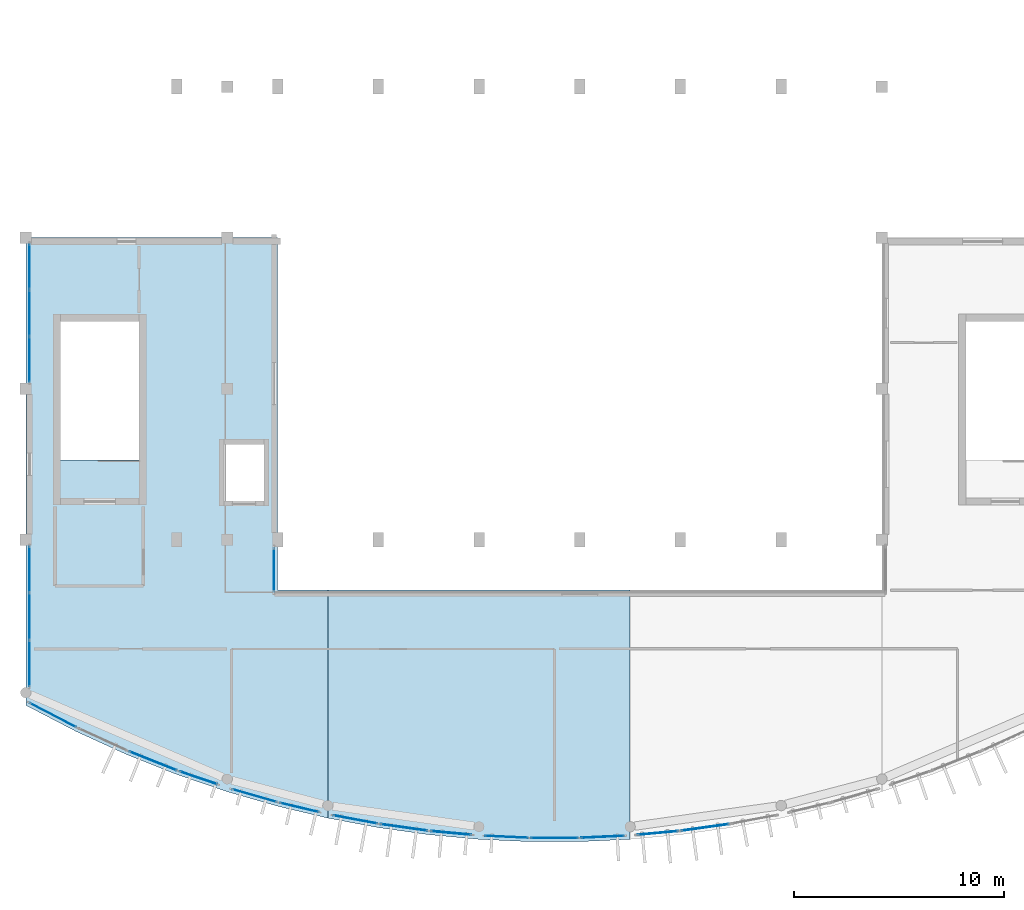
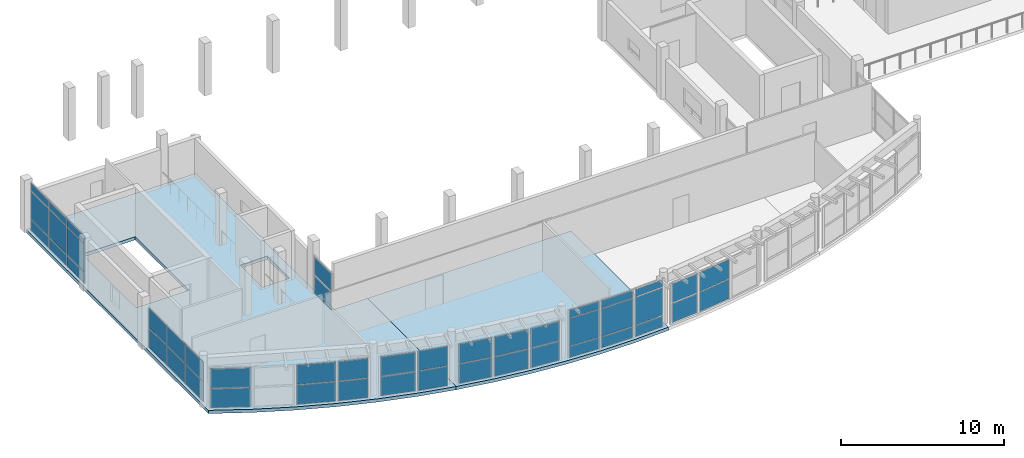
# One storey, part 11 of 32: 46 plates, 2 slabs, 16 elements without a shape of their own.
"""IFC4 building model written with IfcOpenShell, lengths in metres."""

from ifc_helpers import new_model, si_unit, direction, frame, origin, origin_2d, place, context, subcontext, project, spatial, polyline, rectangle, outline, extrude, material, layer, layer_set, type_object, element, aggregate, save


model = new_model("IFC4")

# Units and contexts
model_context = context("Model", 3, precision=1e-05, world=origin(), true_north=direction((0.0, 1.0)))
body_context = subcontext(model_context, "Body", "Model", "MODEL_VIEW")
ifc_project = project(units=[si_unit("LENGTHUNIT", "METRE"), si_unit("AREAUNIT", "SQUARE_METRE"), si_unit("VOLUMEUNIT", "CUBIC_METRE"), si_unit("PLANEANGLEUNIT", "RADIAN"), si_unit("MASSUNIT", "GRAM", prefix="KILO")], contexts=[model_context])

# Site, building, storey
site_placement = place(None, origin())
site = spatial("IfcSite", under=ifc_project, at=site_placement, CompositionType="ELEMENT")
building_placement = place(site_placement, origin())
building = spatial("IfcBuilding", under=site, at=building_placement, Name="Brisavento Harbour Community Centre", CompositionType="ELEMENT")
storey_placement = place(building_placement, frame((0.0, 0.0, 12.89990234375)))
storey = spatial("IfcBuildingStorey", under=building, at=storey_placement, Name="L03", CompositionType="ELEMENT", Elevation=12.89990234375)

# Curtain wall, plates
ifc_material_1 = material(Name="Marine-anodised aluminium AW-6063-T6", Category="aluminium")
ifc_layer_1 = layer(ifc_material_1, 0.179931640625, Name="Marine-anodised aluminium AW-6063-T6")
ifc_layer_set_1 = layer_set([ifc_layer_1], Name="Marine-anodised aluminium AW-6063-T6")
curtain_wall_type_1 = type_object("IfcCurtainWallType", Name="CW-SYS-16", PredefinedType="USERDEFINED", material=ifc_layer_set_1)
curtain_wall_1_placement = place(storey_placement, origin())
curtain_wall_1 = element("IfcCurtainWall", 1, at=curtain_wall_1_placement, inside=storey, type_object=curtain_wall_type_1, Name="L03 V1 unitised curtain wall 156", ObjectType="UNITISED CURTAIN WALL", PredefinedType="USERDEFINED")
ifc_material_2 = material(Name="Solar-control laminated low-E glass", Category="glass")
ifc_layer_2 = layer(ifc_material_2, 0.02392578125, Name="Solar-control laminated low-E glass")
ifc_layer_set_2 = layer_set([ifc_layer_2], Name="Solar-control laminated low-E glass")
plate_type_1 = type_object("IfcPlateType", Name="CWP-GLZ-1", PredefinedType="CURTAIN_PANEL", material=ifc_layer_set_2)
plate_1_placement = place(storey_placement, frame((10.90283203125, 2.206787109375, 0.080078125), z_axis=(0.0, 0.0, 1.0), x_axis=(-0.960866482785, 0.277011917183, 0.0)))
plate_1 = element("IfcPlate", 2, at=plate_1_placement, type_object=plate_type_1, Name="CW-16 panel 1.1", PredefinedType="CURTAIN_PANEL", context=body_context, shape_type="SweptSolid", body=[
    extrude(rectangle(XDim=2.19140625, YDim=0.02392578125, at=origin_2d()), origin(), (0.0, 0.0, 1.0), 1.409912109375),
])
plate_2_placement = place(storey_placement, frame((10.90283203125, 2.206787109375, 1.5703125), z_axis=(0.0, 0.0, 1.0), x_axis=(-0.960866482785, 0.277011917183, 0.0)))
plate_2 = element("IfcPlate", 3, at=plate_2_placement, type_object=plate_type_1, Name="CW-16 panel 1.2", PredefinedType="CURTAIN_PANEL", context=body_context, shape_type="SweptSolid", body=[
    extrude(rectangle(XDim=2.19140625, YDim=0.02392578125, at=origin_2d()), origin(), (0.0, 0.0, 1.0), 1.409912109375),
])
aggregate(curtain_wall_1, [plate_1, plate_2])

ifc_layer_3 = layer(ifc_material_1, 0.179931640625, Name="Marine-anodised aluminium AW-6063-T6")
ifc_layer_set_3 = layer_set([ifc_layer_3], Name="Marine-anodised aluminium AW-6063-T6")
curtain_wall_type_2 = type_object("IfcCurtainWallType", Name="CW-SYS-21", PredefinedType="USERDEFINED", material=ifc_layer_set_3)
curtain_wall_2_placement = place(storey_placement, origin())
curtain_wall_2 = element("IfcCurtainWall", 4, at=curtain_wall_2_placement, inside=storey, type_object=curtain_wall_type_2, Name="L03 V1 unitised curtain wall 161", ObjectType="UNITISED CURTAIN WALL", PredefinedType="USERDEFINED")
plate_3_placement = place(storey_placement, frame((22.908447265625, 0.244384765625, 0.06494140625), z_axis=(0.0, 0.0, 1.0), x_axis=(-0.998933696469, 0.046167846582, 0.0)))
plate_3 = element("IfcPlate", 5, at=plate_3_placement, type_object=plate_type_1, Name="CW-21 panel 1.1", PredefinedType="CURTAIN_PANEL", context=body_context, shape_type="SweptSolid", body=[
    extrude(rectangle(XDim=2.035888671875, YDim=0.02392578125, at=origin_2d()), origin(), (0.0, 0.0, 1.0), 0.802490234375),
])
plate_4_placement = place(storey_placement, frame((22.908447265625, 0.244384765625, 0.9326171875), z_axis=(0.0, 0.0, 1.0), x_axis=(-0.998933696469, 0.046167846582, 0.0)))
plate_4 = element("IfcPlate", 6, at=plate_4_placement, type_object=plate_type_1, Name="CW-21 panel 1.2", PredefinedType="CURTAIN_PANEL", context=body_context, shape_type="SweptSolid", body=[
    extrude(rectangle(XDim=2.035888671875, YDim=0.02392578125, at=origin_2d()), origin(), (0.0, 0.0, 1.0), 2.044921875),
])
plate_5_placement = place(storey_placement, frame((22.908447265625, 0.244384765625, 3.04248046875), z_axis=(0.0, 0.0, 1.0), x_axis=(-0.998933696469, 0.046167846582, 0.0)))
plate_5 = element("IfcPlate", 7, at=plate_5_placement, type_object=plate_type_1, Name="CW-21 panel 1.3", PredefinedType="CURTAIN_PANEL", context=body_context, shape_type="SweptSolid", body=[
    extrude(rectangle(XDim=2.035888671875, YDim=0.02392578125, at=origin_2d()), origin(), (0.0, 0.0, 1.0), 0.552490234375),
])
aggregate(curtain_wall_2, [plate_3, plate_4, plate_5])

ifc_layer_4 = layer(ifc_material_1, 0.179931640625, Name="Marine-anodised aluminium AW-6063-T6")
ifc_layer_set_4 = layer_set([ifc_layer_4], Name="Marine-anodised aluminium AW-6063-T6")
curtain_wall_type_3 = type_object("IfcCurtainWallType", Name="CW-SYS-08", PredefinedType="USERDEFINED", material=ifc_layer_set_4)
curtain_wall_3_placement = place(storey_placement, origin())
curtain_wall_3 = element("IfcCurtainWall", 8, at=curtain_wall_3_placement, inside=storey, type_object=curtain_wall_type_3, Name="L03 V1 unitised curtain wall 176", ObjectType="UNITISED CURTAIN WALL", PredefinedType="USERDEFINED")
plate_6_placement = place(storey_placement, frame((11.820068359375, 12.95751953125, 0.080078125), z_axis=(0.0, 0.0, 1.0), x_axis=(0.0, -1.0, 0.0)))
plate_6 = element("IfcPlate", 9, at=plate_6_placement, type_object=plate_type_1, Name="CW-08 panel 1.1", PredefinedType="CURTAIN_PANEL", context=body_context, shape_type="SweptSolid", body=[
    extrude(rectangle(XDim=2.054931640625, YDim=0.02392578125, at=origin_2d()), origin(), (0.0, 0.0, 1.0), 1.330078125),
])
plate_7_placement = place(storey_placement, frame((11.820068359375, 12.95751953125, 1.489990234375), z_axis=(0.0, 0.0, 1.0), x_axis=(0.0, -1.0, 0.0)))
plate_7 = element("IfcPlate", 10, at=plate_7_placement, type_object=plate_type_1, Name="CW-08 panel 1.2", PredefinedType="CURTAIN_PANEL", context=body_context, shape_type="SweptSolid", body=[
    extrude(rectangle(XDim=2.054931640625, YDim=0.02392578125, at=origin_2d()), origin(), (0.0, 0.0, 1.0), 1.330078125),
])
aggregate(curtain_wall_3, [plate_6, plate_7])

ifc_layer_5 = layer(ifc_material_1, 0.179931640625, Name="Marine-anodised aluminium AW-6063-T6")
ifc_layer_set_5 = layer_set([ifc_layer_5], Name="Marine-anodised aluminium AW-6063-T6")
curtain_wall_type_4 = type_object("IfcCurtainWallType", Name="CW-SYS-12", PredefinedType="USERDEFINED", material=ifc_layer_set_5)
curtain_wall_4_placement = place(storey_placement, origin())
curtain_wall_4 = element("IfcCurtainWall", 11, at=curtain_wall_4_placement, inside=storey, type_object=curtain_wall_type_4, Name="L03 V1 unitised curtain wall 152", ObjectType="UNITISED CURTAIN WALL", PredefinedType="USERDEFINED")
ifc_layer_6 = layer(ifc_material_2, 0.028076171875, Name="Solar-control laminated low-E glass")
ifc_layer_set_6 = layer_set([ifc_layer_6], Name="Solar-control laminated low-E glass")
plate_type_2 = type_object("IfcPlateType", Name="CWP-GLZ-2", PredefinedType="CURTAIN_PANEL", material=ifc_layer_set_6)
plate_8_placement = place(storey_placement, frame((1.295166015625, 6.04296875, 0.080078125), z_axis=(0.0, 0.0, 1.0), x_axis=(-0.887019684969, 0.461731608705, 0.0)))
plate_8 = element("IfcPlate", 12, at=plate_8_placement, type_object=plate_type_2, Name="CW-12 panel 1.1", PredefinedType="CURTAIN_PANEL", context=body_context, shape_type="SweptSolid", body=[
    extrude(rectangle(XDim=2.482421875, YDim=0.028076171875, at=origin_2d()), origin(), (0.0, 0.0, 1.0), 1.409912109375),
])
plate_9_placement = place(storey_placement, frame((1.295166015625, 6.04296875, 1.5703125), z_axis=(0.0, 0.0, 1.0), x_axis=(-0.887019684969, 0.461731608705, 0.0)))
plate_9 = element("IfcPlate", 13, at=plate_9_placement, type_object=plate_type_2, Name="CW-12 panel 1.2", PredefinedType="CURTAIN_PANEL", context=body_context, shape_type="SweptSolid", body=[
    extrude(rectangle(XDim=2.482421875, YDim=0.028076171875, at=origin_2d()), origin(), (0.0, 0.0, 1.0), 1.409912109375),
])
aggregate(curtain_wall_4, [plate_8, plate_9])

ifc_layer_7 = layer(ifc_material_1, 0.179931640625, Name="Marine-anodised aluminium AW-6063-T6")
ifc_layer_set_7 = layer_set([ifc_layer_7], Name="Marine-anodised aluminium AW-6063-T6")
curtain_wall_type_5 = type_object("IfcCurtainWallType", Name="CW-SYS-17", PredefinedType="USERDEFINED", material=ifc_layer_set_7)
curtain_wall_5_placement = place(storey_placement, origin())
curtain_wall_5 = element("IfcCurtainWall", 14, at=curtain_wall_5_placement, inside=storey, type_object=curtain_wall_type_5, Name="L03 V1 unitised curtain wall 157", ObjectType="UNITISED CURTAIN WALL", PredefinedType="USERDEFINED")
plate_10_placement = place(storey_placement, frame((13.0439453125, 1.640625, 0.06494140625), z_axis=(0.0, 0.0, 1.0), x_axis=(-0.972998297489, 0.230812289714, 0.0)))
plate_10 = element("IfcPlate", 15, at=plate_10_placement, type_object=plate_type_2, Name="CW-17 panel 1.1", PredefinedType="CURTAIN_PANEL", context=body_context, shape_type="SweptSolid", body=[
    extrude(rectangle(XDim=1.89404296875, YDim=0.028076171875, at=origin_2d()), origin(), (0.0, 0.0, 1.0), 1.4326171875),
])
plate_11_placement = place(storey_placement, frame((13.0439453125, 1.640625, 1.5625), z_axis=(0.0, 0.0, 1.0), x_axis=(-0.972998297489, 0.230812289714, 0.0)))
plate_11 = element("IfcPlate", 16, at=plate_11_placement, type_object=plate_type_2, Name="CW-17 panel 1.2", PredefinedType="CURTAIN_PANEL", context=body_context, shape_type="SweptSolid", body=[
    extrude(rectangle(XDim=1.89404296875, YDim=0.028076171875, at=origin_2d()), origin(), (0.0, 0.0, 1.0), 1.4326171875),
])
aggregate(curtain_wall_5, [plate_10, plate_11])

ifc_layer_8 = layer(ifc_material_1, 0.179931640625, Name="Marine-anodised aluminium AW-6063-T6")
ifc_layer_set_8 = layer_set([ifc_layer_8], Name="Marine-anodised aluminium AW-6063-T6")
curtain_wall_type_6 = type_object("IfcCurtainWallType", Name="CW-SYS-22", PredefinedType="USERDEFINED", material=ifc_layer_set_8)
curtain_wall_6_placement = place(storey_placement, origin())
curtain_wall_6 = element("IfcCurtainWall", 17, at=curtain_wall_6_placement, inside=storey, type_object=curtain_wall_type_6, Name="L03 V1 unitised curtain wall 162", ObjectType="UNITISED CURTAIN WALL", PredefinedType="USERDEFINED")
plate_12_placement = place(storey_placement, frame((25.199951171875, 0.19384765625, 0.070068359375), z_axis=(0.0, 0.0, 1.0), x_axis=(-1.0, 0.0, 0.0)))
plate_12 = element("IfcPlate", 18, at=plate_12_placement, type_object=plate_type_2, Name="CW-22 panel 1.1", PredefinedType="CURTAIN_PANEL", context=body_context, shape_type="SweptSolid", body=[
    extrude(rectangle(XDim=2.22412109375, YDim=0.028076171875, at=origin_2d()), origin(), (0.0, 0.0, 1.0), 0.794921875),
])
plate_13_placement = place(storey_placement, frame((25.199951171875, 0.19384765625, 0.93505859375), z_axis=(0.0, 0.0, 1.0), x_axis=(-1.0, 0.0, 0.0)))
plate_13 = element("IfcPlate", 19, at=plate_13_placement, type_object=plate_type_2, Name="CW-22 panel 1.2", PredefinedType="CURTAIN_PANEL", context=body_context, shape_type="SweptSolid", body=[
    extrude(rectangle(XDim=2.22412109375, YDim=0.028076171875, at=origin_2d()), origin(), (0.0, 0.0, 1.0), 2.0400390625),
])
plate_14_placement = place(storey_placement, frame((25.199951171875, 0.19384765625, 3.045166015625), z_axis=(0.0, 0.0, 1.0), x_axis=(-1.0, 0.0, 0.0)))
plate_14 = element("IfcPlate", 20, at=plate_14_placement, type_object=plate_type_2, Name="CW-22 panel 1.3", PredefinedType="CURTAIN_PANEL", context=body_context, shape_type="SweptSolid", body=[
    extrude(rectangle(XDim=2.22412109375, YDim=0.028076171875, at=origin_2d()), origin(), (0.0, 0.0, 1.0), 0.544921875),
])
aggregate(curtain_wall_6, [plate_12, plate_13, plate_14])

ifc_layer_9 = layer(ifc_material_1, 0.179931640625, Name="Marine-anodised aluminium AW-6063-T6")
ifc_layer_set_9 = layer_set([ifc_layer_9], Name="Marine-anodised aluminium AW-6063-T6")
curtain_wall_type_7 = type_object("IfcCurtainWallType", Name="CW-SYS-09", PredefinedType="USERDEFINED", material=ifc_layer_set_9)
curtain_wall_7_placement = place(storey_placement, origin())
curtain_wall_7 = element("IfcCurtainWall", 21, at=curtain_wall_7_placement, inside=storey, type_object=curtain_wall_type_7, Name="L03 V1 unitised curtain wall 177", ObjectType="UNITISED CURTAIN WALL", PredefinedType="USERDEFINED")
plate_15_placement = place(storey_placement, frame((0.179931640625, 8.497314453125, 0.06494140625), z_axis=(0.0, 0.0, 1.0), x_axis=(0.0, 1.0, 0.0)))
plate_15 = element("IfcPlate", 22, at=plate_15_placement, type_object=plate_type_2, Name="CW-09 panel 1.1", PredefinedType="CURTAIN_PANEL", context=body_context, shape_type="SweptSolid", body=[
    extrude(rectangle(XDim=2.166015625, YDim=0.028076171875, at=origin_2d()), origin(), (0.0, 0.0, 1.0), 1.4326171875),
])
plate_16_placement = place(storey_placement, frame((0.179931640625, 8.497314453125, 1.5625), z_axis=(0.0, 0.0, 1.0), x_axis=(0.0, 1.0, 0.0)))
plate_16 = element("IfcPlate", 23, at=plate_16_placement, type_object=plate_type_2, Name="CW-09 panel 1.2", PredefinedType="CURTAIN_PANEL", context=body_context, shape_type="SweptSolid", body=[
    extrude(rectangle(XDim=2.166015625, YDim=0.028076171875, at=origin_2d()), origin(), (0.0, 0.0, 1.0), 1.4326171875),
])
plate_17_placement = place(storey_placement, frame((0.179931640625, 10.74462890625, 0.06494140625), z_axis=(0.0, 0.0, 1.0), x_axis=(0.0, 1.0, 0.0)))
plate_17 = element("IfcPlate", 24, at=plate_17_placement, type_object=plate_type_2, Name="CW-09 panel 2.1", PredefinedType="CURTAIN_PANEL", context=body_context, shape_type="SweptSolid", body=[
    extrude(rectangle(XDim=2.198486328125, YDim=0.028076171875, at=origin_2d()), origin(), (0.0, 0.0, 1.0), 1.4326171875),
])
plate_18_placement = place(storey_placement, frame((0.179931640625, 10.74462890625, 1.5625), z_axis=(0.0, 0.0, 1.0), x_axis=(0.0, 1.0, 0.0)))
plate_18 = element("IfcPlate", 25, at=plate_18_placement, type_object=plate_type_2, Name="CW-09 panel 2.2", PredefinedType="CURTAIN_PANEL", context=body_context, shape_type="SweptSolid", body=[
    extrude(rectangle(XDim=2.198486328125, YDim=0.028076171875, at=origin_2d()), origin(), (0.0, 0.0, 1.0), 1.4326171875),
])
plate_19_placement = place(storey_placement, frame((0.179931640625, 12.991943359375, 0.06494140625), z_axis=(0.0, 0.0, 1.0), x_axis=(0.0, 1.0, 0.0)))
plate_19 = element("IfcPlate", 26, at=plate_19_placement, type_object=plate_type_2, Name="CW-09 panel 3.1", PredefinedType="CURTAIN_PANEL", context=body_context, shape_type="SweptSolid", body=[
    extrude(rectangle(XDim=2.166015625, YDim=0.028076171875, at=origin_2d()), origin(), (0.0, 0.0, 1.0), 1.4326171875),
])
plate_20_placement = place(storey_placement, frame((0.179931640625, 12.991943359375, 1.5625), z_axis=(0.0, 0.0, 1.0), x_axis=(0.0, 1.0, 0.0)))
plate_20 = element("IfcPlate", 27, at=plate_20_placement, type_object=plate_type_2, Name="CW-09 panel 3.2", PredefinedType="CURTAIN_PANEL", context=body_context, shape_type="SweptSolid", body=[
    extrude(rectangle(XDim=2.166015625, YDim=0.028076171875, at=origin_2d()), origin(), (0.0, 0.0, 1.0), 1.4326171875),
])
aggregate(curtain_wall_7, [plate_15, plate_16, plate_17, plate_18, plate_19, plate_20])

ifc_layer_10 = layer(ifc_material_1, 0.179931640625, Name="Marine-anodised aluminium AW-6063-T6")
ifc_layer_set_10 = layer_set([ifc_layer_10], Name="Marine-anodised aluminium AW-6063-T6")
curtain_wall_type_8 = type_object("IfcCurtainWallType", Name="CW-SYS-18", PredefinedType="USERDEFINED", material=ifc_layer_set_10)
curtain_wall_8_placement = place(storey_placement, origin())
curtain_wall_8 = element("IfcCurtainWall", 28, at=curtain_wall_8_placement, inside=storey, type_object=curtain_wall_type_8, Name="L03 V1 unitised curtain wall 158", ObjectType="UNITISED CURTAIN WALL", PredefinedType="USERDEFINED")
ifc_layer_11 = layer(ifc_material_2, 0.031982421875, Name="Solar-control laminated low-E glass")
ifc_layer_set_11 = layer_set([ifc_layer_11], Name="Solar-control laminated low-E glass")
plate_type_3 = type_object("IfcPlateType", Name="CWP-GLZ-3", PredefinedType="CURTAIN_PANEL", material=ifc_layer_set_11)
plate_21_placement = place(storey_placement, frame((15.7060546875, 1.07177734375, 0.0703125), z_axis=(0.0, 0.0, 1.0), x_axis=(-0.982796895513, 0.184689637418, 0.0)))
plate_21 = element("IfcPlate", 29, at=plate_21_placement, type_object=plate_type_3, Name="CW-18 panel 1.1", PredefinedType="CURTAIN_PANEL", context=body_context, shape_type="SweptSolid", body=[
    extrude(rectangle(XDim=2.117919921875, YDim=0.031982421875, at=origin_2d()), origin(), (0.0, 0.0, 1.0), 1.425048828125),
])
plate_22_placement = place(storey_placement, frame((15.7060546875, 1.07177734375, 1.56494140625), z_axis=(0.0, 0.0, 1.0), x_axis=(-0.982796895513, 0.184689637418, 0.0)))
plate_22 = element("IfcPlate", 30, at=plate_22_placement, type_object=plate_type_3, Name="CW-18 panel 1.2", PredefinedType="CURTAIN_PANEL", context=body_context, shape_type="SweptSolid", body=[
    extrude(rectangle(XDim=2.117919921875, YDim=0.031982421875, at=origin_2d()), origin(), (0.0, 0.0, 1.0), 1.425048828125),
])
aggregate(curtain_wall_8, [plate_21, plate_22])

ifc_layer_12 = layer(ifc_material_1, 0.179931640625, Name="Marine-anodised aluminium AW-6063-T6")
ifc_layer_set_12 = layer_set([ifc_layer_12], Name="Marine-anodised aluminium AW-6063-T6")
curtain_wall_type_9 = type_object("IfcCurtainWallType", Name="CW-SYS-23", PredefinedType="USERDEFINED", material=ifc_layer_set_12)
curtain_wall_9_placement = place(storey_placement, origin())
curtain_wall_9 = element("IfcCurtainWall", 31, at=curtain_wall_9_placement, inside=storey, type_object=curtain_wall_type_9, Name="L03 V1 unitised curtain wall 163", ObjectType="UNITISED CURTAIN WALL", PredefinedType="USERDEFINED")
plate_23_placement = place(storey_placement, frame((27.491455078125, 0.244384765625, 0.074951171875), z_axis=(0.0, 0.0, 1.0), x_axis=(-0.998933696469, -0.046167846582, 0.0)))
plate_23 = element("IfcPlate", 32, at=plate_23_placement, type_object=plate_type_3, Name="CW-23 panel 1.1", PredefinedType="CURTAIN_PANEL", context=body_context, shape_type="SweptSolid", body=[
    extrude(rectangle(XDim=2.01611328125, YDim=0.031982421875, at=origin_2d()), origin(), (0.0, 0.0, 1.0), 0.78759765625),
])
plate_24_placement = place(storey_placement, frame((27.491455078125, 0.244384765625, 0.9375), z_axis=(0.0, 0.0, 1.0), x_axis=(-0.998933696469, -0.046167846582, 0.0)))
plate_24 = element("IfcPlate", 33, at=plate_24_placement, type_object=plate_type_3, Name="CW-23 panel 1.2", PredefinedType="CURTAIN_PANEL", context=body_context, shape_type="SweptSolid", body=[
    extrude(rectangle(XDim=2.01611328125, YDim=0.031982421875, at=origin_2d()), origin(), (0.0, 0.0, 1.0), 2.034912109375),
])
plate_25_placement = place(storey_placement, frame((27.491455078125, 0.244384765625, 3.047607421875), z_axis=(0.0, 0.0, 1.0), x_axis=(-0.998933696469, -0.046167846582, 0.0)))
plate_25 = element("IfcPlate", 34, at=plate_25_placement, type_object=plate_type_3, Name="CW-23 panel 1.3", PredefinedType="CURTAIN_PANEL", context=body_context, shape_type="SweptSolid", body=[
    extrude(rectangle(XDim=2.01611328125, YDim=0.031982421875, at=origin_2d()), origin(), (0.0, 0.0, 1.0), 0.53759765625),
])
aggregate(curtain_wall_9, [plate_23, plate_24, plate_25])

ifc_layer_13 = layer(ifc_material_1, 0.179931640625, Name="Marine-anodised aluminium AW-6063-T6")
ifc_layer_set_13 = layer_set([ifc_layer_13], Name="Marine-anodised aluminium AW-6063-T6")
curtain_wall_type_10 = type_object("IfcCurtainWallType", Name="CW-SYS-10", PredefinedType="USERDEFINED", material=ifc_layer_set_13)
curtain_wall_10_placement = place(storey_placement, origin())
curtain_wall_10 = element("IfcCurtainWall", 35, at=curtain_wall_10_placement, inside=storey, type_object=curtain_wall_type_10, Name="L03 V1 unitised curtain wall 178", ObjectType="UNITISED CURTAIN WALL", PredefinedType="USERDEFINED")
plate_26_placement = place(storey_placement, frame((0.179931640625, 22.99072265625, 0.070068359375), z_axis=(0.0, 0.0, 1.0), x_axis=(0.0, 1.0, 0.0)))
plate_26 = element("IfcPlate", 36, at=plate_26_placement, type_object=plate_type_3, Name="CW-10 panel 1.1", PredefinedType="CURTAIN_PANEL", context=body_context, shape_type="SweptSolid", body=[
    extrude(rectangle(XDim=2.12158203125, YDim=0.031982421875, at=origin_2d()), origin(), (0.0, 0.0, 1.0), 0.794921875),
])
plate_27_placement = place(storey_placement, frame((0.179931640625, 22.99072265625, 0.93505859375), z_axis=(0.0, 0.0, 1.0), x_axis=(0.0, 1.0, 0.0)))
plate_27 = element("IfcPlate", 37, at=plate_27_placement, type_object=plate_type_3, Name="CW-10 panel 1.2", PredefinedType="CURTAIN_PANEL", context=body_context, shape_type="SweptSolid", body=[
    extrude(rectangle(XDim=2.12158203125, YDim=0.031982421875, at=origin_2d()), origin(), (0.0, 0.0, 1.0), 2.0400390625),
])
plate_28_placement = place(storey_placement, frame((0.179931640625, 22.99072265625, 3.045166015625), z_axis=(0.0, 0.0, 1.0), x_axis=(0.0, 1.0, 0.0)))
plate_28 = element("IfcPlate", 38, at=plate_28_placement, type_object=plate_type_3, Name="CW-10 panel 1.3", PredefinedType="CURTAIN_PANEL", context=body_context, shape_type="SweptSolid", body=[
    extrude(rectangle(XDim=2.12158203125, YDim=0.031982421875, at=origin_2d()), origin(), (0.0, 0.0, 1.0), 0.544921875),
])
plate_29_placement = place(storey_placement, frame((0.179931640625, 25.199951171875, 0.070068359375), z_axis=(0.0, 0.0, 1.0), x_axis=(0.0, 1.0, 0.0)))
plate_29 = element("IfcPlate", 39, at=plate_29_placement, type_object=plate_type_3, Name="CW-10 panel 2.1", PredefinedType="CURTAIN_PANEL", context=body_context, shape_type="SweptSolid", body=[
    extrude(rectangle(XDim=2.15673828125, YDim=0.031982421875, at=origin_2d()), origin(), (0.0, 0.0, 1.0), 0.794921875),
])
plate_30_placement = place(storey_placement, frame((0.179931640625, 25.199951171875, 0.93505859375), z_axis=(0.0, 0.0, 1.0), x_axis=(0.0, 1.0, 0.0)))
plate_30 = element("IfcPlate", 40, at=plate_30_placement, type_object=plate_type_3, Name="CW-10 panel 2.2", PredefinedType="CURTAIN_PANEL", context=body_context, shape_type="SweptSolid", body=[
    extrude(rectangle(XDim=2.15673828125, YDim=0.031982421875, at=origin_2d()), origin(), (0.0, 0.0, 1.0), 2.0400390625),
])
plate_31_placement = place(storey_placement, frame((0.179931640625, 25.199951171875, 3.045166015625), z_axis=(0.0, 0.0, 1.0), x_axis=(0.0, 1.0, 0.0)))
plate_31 = element("IfcPlate", 41, at=plate_31_placement, type_object=plate_type_3, Name="CW-10 panel 2.3", PredefinedType="CURTAIN_PANEL", context=body_context, shape_type="SweptSolid", body=[
    extrude(rectangle(XDim=2.15673828125, YDim=0.031982421875, at=origin_2d()), origin(), (0.0, 0.0, 1.0), 0.544921875),
])
plate_32_placement = place(storey_placement, frame((0.179931640625, 27.4091796875, 0.070068359375), z_axis=(0.0, 0.0, 1.0), x_axis=(0.0, 1.0, 0.0)))
plate_32 = element("IfcPlate", 42, at=plate_32_placement, type_object=plate_type_3, Name="CW-10 panel 3.1", PredefinedType="CURTAIN_PANEL", context=body_context, shape_type="SweptSolid", body=[
    extrude(rectangle(XDim=2.12158203125, YDim=0.031982421875, at=origin_2d()), origin(), (0.0, 0.0, 1.0), 0.794921875),
])
plate_33_placement = place(storey_placement, frame((0.179931640625, 27.4091796875, 0.93505859375), z_axis=(0.0, 0.0, 1.0), x_axis=(0.0, 1.0, 0.0)))
plate_33 = element("IfcPlate", 43, at=plate_33_placement, type_object=plate_type_3, Name="CW-10 panel 3.2", PredefinedType="CURTAIN_PANEL", context=body_context, shape_type="SweptSolid", body=[
    extrude(rectangle(XDim=2.12158203125, YDim=0.031982421875, at=origin_2d()), origin(), (0.0, 0.0, 1.0), 2.0400390625),
])
plate_34_placement = place(storey_placement, frame((0.179931640625, 27.4091796875, 3.045166015625), z_axis=(0.0, 0.0, 1.0), x_axis=(0.0, 1.0, 0.0)))
plate_34 = element("IfcPlate", 44, at=plate_34_placement, type_object=plate_type_3, Name="CW-10 panel 3.3", PredefinedType="CURTAIN_PANEL", context=body_context, shape_type="SweptSolid", body=[
    extrude(rectangle(XDim=2.12158203125, YDim=0.031982421875, at=origin_2d()), origin(), (0.0, 0.0, 1.0), 0.544921875),
])
aggregate(curtain_wall_10, [plate_26, plate_27, plate_28, plate_29, plate_30, plate_31, plate_32, plate_33, plate_34])

ifc_layer_14 = layer(ifc_material_1, 0.179931640625, Name="Marine-anodised aluminium AW-6063-T6")
ifc_layer_set_14 = layer_set([ifc_layer_14], Name="Marine-anodised aluminium AW-6063-T6")
curtain_wall_type_11 = type_object("IfcCurtainWallType", Name="CW-SYS-14", PredefinedType="USERDEFINED", material=ifc_layer_set_14)
curtain_wall_11_placement = place(storey_placement, origin())
curtain_wall_11 = element("IfcCurtainWall", 45, at=curtain_wall_11_placement, inside=storey, type_object=curtain_wall_type_11, Name="L03 V1 unitised curtain wall 154", ObjectType="UNITISED CURTAIN WALL", PredefinedType="USERDEFINED")
ifc_layer_15 = layer(ifc_material_2, 0.035888671875, Name="Solar-control laminated low-E glass")
ifc_layer_set_15 = layer_set([ifc_layer_15], Name="Solar-control laminated low-E glass")
plate_type_4 = type_object("IfcPlateType", Name="CWP-GLZ-4", PredefinedType="CURTAIN_PANEL", material=ifc_layer_set_15)
plate_35_placement = place(storey_placement, frame((6.06640625, 3.85888671875, 0.0703125), z_axis=(0.0, 0.0, 1.0), x_axis=(-0.929278798027, 0.369379094613, 0.0)))
plate_35 = element("IfcPlate", 46, at=plate_35_placement, type_object=plate_type_4, Name="CW-14 panel 1.1", PredefinedType="CURTAIN_PANEL", context=body_context, shape_type="SweptSolid", body=[
    extrude(rectangle(XDim=2.40673828125, YDim=0.035888671875, at=origin_2d()), origin(), (0.0, 0.0, 1.0), 1.425048828125),
])
plate_36_placement = place(storey_placement, frame((6.06640625, 3.85888671875, 1.56494140625), z_axis=(0.0, 0.0, 1.0), x_axis=(-0.929278798027, 0.369379094613, 0.0)))
plate_36 = element("IfcPlate", 47, at=plate_36_placement, type_object=plate_type_4, Name="CW-14 panel 1.2", PredefinedType="CURTAIN_PANEL", context=body_context, shape_type="SweptSolid", body=[
    extrude(rectangle(XDim=2.40673828125, YDim=0.035888671875, at=origin_2d()), origin(), (0.0, 0.0, 1.0), 1.425048828125),
])
aggregate(curtain_wall_11, [plate_35, plate_36])

ifc_layer_16 = layer(ifc_material_1, 0.179931640625, Name="Marine-anodised aluminium AW-6063-T6")
ifc_layer_set_16 = layer_set([ifc_layer_16], Name="Marine-anodised aluminium AW-6063-T6")
curtain_wall_type_12 = type_object("IfcCurtainWallType", Name="CW-SYS-19", PredefinedType="USERDEFINED", material=ifc_layer_set_16)
curtain_wall_12_placement = place(storey_placement, origin())
curtain_wall_12 = element("IfcCurtainWall", 48, at=curtain_wall_12_placement, inside=storey, type_object=curtain_wall_type_12, Name="L03 V1 unitised curtain wall 159", ObjectType="UNITISED CURTAIN WALL", PredefinedType="USERDEFINED")
plate_37_placement = place(storey_placement, frame((18.02490234375, 0.693359375, 0.0751953125), z_axis=(0.0, 0.0, 1.0), x_axis=(-0.990365657711, 0.138476944024, 0.0)))
plate_37 = element("IfcPlate", 49, at=plate_37_placement, type_object=plate_type_4, Name="CW-19 panel 1.1", PredefinedType="CURTAIN_PANEL", context=body_context, shape_type="SweptSolid", body=[
    extrude(rectangle(XDim=2.2373046875, YDim=0.035888671875, at=origin_2d()), origin(), (0.0, 0.0, 1.0), 1.41748046875),
])
plate_38_placement = place(storey_placement, frame((18.02490234375, 0.693359375, 1.567626953125), z_axis=(0.0, 0.0, 1.0), x_axis=(-0.990365657711, 0.138476944024, 0.0)))
plate_38 = element("IfcPlate", 50, at=plate_38_placement, type_object=plate_type_4, Name="CW-19 panel 1.2", PredefinedType="CURTAIN_PANEL", context=body_context, shape_type="SweptSolid", body=[
    extrude(rectangle(XDim=2.2373046875, YDim=0.035888671875, at=origin_2d()), origin(), (0.0, 0.0, 1.0), 1.41748046875),
])
aggregate(curtain_wall_12, [plate_37, plate_38])

ifc_layer_17 = layer(ifc_material_1, 0.179931640625, Name="Marine-anodised aluminium AW-6063-T6")
ifc_layer_set_17 = layer_set([ifc_layer_17], Name="Marine-anodised aluminium AW-6063-T6")
curtain_wall_type_13 = type_object("IfcCurtainWallType", Name="CW-SYS-24", PredefinedType="USERDEFINED", material=ifc_layer_set_17)
curtain_wall_13_placement = place(storey_placement, origin())
curtain_wall_13 = element("IfcCurtainWall", 51, at=curtain_wall_13_placement, inside=storey, type_object=curtain_wall_type_13, Name="L03 V1 unitised curtain wall 164", ObjectType="UNITISED CURTAIN WALL", PredefinedType="USERDEFINED")
plate_39_placement = place(storey_placement, frame((30.1298828125, 0.428955078125, 0.080078125), z_axis=(0.0, 0.0, 1.0), x_axis=(-0.99573486877, -0.092260886159, 0.0)))
plate_39 = element("IfcPlate", 52, at=plate_39_placement, type_object=plate_type_4, Name="CW-24 panel 1.1", PredefinedType="CURTAIN_PANEL", context=body_context, shape_type="SweptSolid", body=[
    extrude(rectangle(XDim=1.919921875, YDim=0.035888671875, at=origin_2d()), origin(), (0.0, 0.0, 1.0), 1.409912109375),
])
plate_40_placement = place(storey_placement, frame((30.1298828125, 0.428955078125, 1.5703125), z_axis=(0.0, 0.0, 1.0), x_axis=(-0.99573486877, -0.092260886159, 0.0)))
plate_40 = element("IfcPlate", 53, at=plate_40_placement, type_object=plate_type_4, Name="CW-24 panel 1.2", PredefinedType="CURTAIN_PANEL", context=body_context, shape_type="SweptSolid", body=[
    extrude(rectangle(XDim=1.919921875, YDim=0.035888671875, at=origin_2d()), origin(), (0.0, 0.0, 1.0), 1.409912109375),
])
aggregate(curtain_wall_13, [plate_39, plate_40])

ifc_layer_18 = layer(ifc_material_1, 0.179931640625, Name="Marine-anodised aluminium AW-6063-T6")
ifc_layer_set_18 = layer_set([ifc_layer_18], Name="Marine-anodised aluminium AW-6063-T6")
curtain_wall_type_14 = type_object("IfcCurtainWallType", Name="CW-SYS-15", PredefinedType="USERDEFINED", material=ifc_layer_set_18)
curtain_wall_14_placement = place(storey_placement, origin())
curtain_wall_14 = element("IfcCurtainWall", 54, at=curtain_wall_14_placement, inside=storey, type_object=curtain_wall_type_14, Name="L03 V1 unitised curtain wall 155", ObjectType="UNITISED CURTAIN WALL", PredefinedType="USERDEFINED")
ifc_layer_19 = layer(ifc_material_2, 0.0400390625, Name="Solar-control laminated low-E glass")
ifc_layer_set_19 = layer_set([ifc_layer_19], Name="Solar-control laminated low-E glass")
plate_type_5 = type_object("IfcPlateType", Name="CWP-GLZ-5", PredefinedType="CURTAIN_PANEL", material=ifc_layer_set_19)
plate_41_placement = place(storey_placement, frame((8.23193359375, 3.052490234375, 0.0751953125), z_axis=(0.0, 0.0, 1.0), x_axis=(-0.946338050136, 0.323178425743, 0.0)))
plate_41 = element("IfcPlate", 55, at=plate_41_placement, type_object=plate_type_5, Name="CW-15 panel 1.1", PredefinedType="CURTAIN_PANEL", context=body_context, shape_type="SweptSolid", body=[
    extrude(rectangle(XDim=1.871826171875, YDim=0.0400390625, at=origin_2d()), origin(), (0.0, 0.0, 1.0), 1.41748046875),
])
plate_42_placement = place(storey_placement, frame((8.23193359375, 3.052490234375, 1.567626953125), z_axis=(0.0, 0.0, 1.0), x_axis=(-0.946338050136, 0.323178425743, 0.0)))
plate_42 = element("IfcPlate", 56, at=plate_42_placement, type_object=plate_type_5, Name="CW-15 panel 1.2", PredefinedType="CURTAIN_PANEL", context=body_context, shape_type="SweptSolid", body=[
    extrude(rectangle(XDim=1.871826171875, YDim=0.0400390625, at=origin_2d()), origin(), (0.0, 0.0, 1.0), 1.41748046875),
])
aggregate(curtain_wall_14, [plate_41, plate_42])

ifc_layer_20 = layer(ifc_material_1, 0.179931640625, Name="Marine-anodised aluminium AW-6063-T6")
ifc_layer_set_20 = layer_set([ifc_layer_20], Name="Marine-anodised aluminium AW-6063-T6")
curtain_wall_type_15 = type_object("IfcCurtainWallType", Name="CW-SYS-20", PredefinedType="USERDEFINED", material=ifc_layer_set_20)
curtain_wall_15_placement = place(storey_placement, origin())
curtain_wall_15 = element("IfcCurtainWall", 57, at=curtain_wall_15_placement, inside=storey, type_object=curtain_wall_type_15, Name="L03 V1 unitised curtain wall 160", ObjectType="UNITISED CURTAIN WALL", PredefinedType="USERDEFINED")
plate_43_placement = place(storey_placement, frame((20.27001953125, 0.428955078125, 0.080078125), z_axis=(0.0, 0.0, 1.0), x_axis=(-0.99573486877, 0.092260886159, 0.0)))
plate_43 = element("IfcPlate", 58, at=plate_43_placement, type_object=plate_type_5, Name="CW-20 panel 1.1", PredefinedType="CURTAIN_PANEL", context=body_context, shape_type="SweptSolid", body=[
    extrude(rectangle(XDim=1.919921875, YDim=0.0400390625, at=origin_2d()), origin(), (0.0, 0.0, 1.0), 1.409912109375),
])
plate_44_placement = place(storey_placement, frame((20.27001953125, 0.428955078125, 1.5703125), z_axis=(0.0, 0.0, 1.0), x_axis=(-0.99573486877, 0.092260886159, 0.0)))
plate_44 = element("IfcPlate", 59, at=plate_44_placement, type_object=plate_type_5, Name="CW-20 panel 1.2", PredefinedType="CURTAIN_PANEL", context=body_context, shape_type="SweptSolid", body=[
    extrude(rectangle(XDim=1.919921875, YDim=0.0400390625, at=origin_2d()), origin(), (0.0, 0.0, 1.0), 1.409912109375),
])
aggregate(curtain_wall_15, [plate_43, plate_44])

ifc_layer_21 = layer(ifc_material_1, 0.179931640625, Name="Marine-anodised aluminium AW-6063-T6")
ifc_layer_set_21 = layer_set([ifc_layer_21], Name="Marine-anodised aluminium AW-6063-T6")
curtain_wall_type_16 = type_object("IfcCurtainWallType", Name="CW-SYS-25", PredefinedType="USERDEFINED", material=ifc_layer_set_21)
curtain_wall_16_placement = place(storey_placement, origin())
curtain_wall_16 = element("IfcCurtainWall", 60, at=curtain_wall_16_placement, inside=storey, type_object=curtain_wall_type_16, Name="L03 V1 unitised curtain wall 165", ObjectType="UNITISED CURTAIN WALL", PredefinedType="USERDEFINED")
plate_45_placement = place(storey_placement, frame((32.375, 0.693359375, 0.06494140625), z_axis=(0.0, 0.0, 1.0), x_axis=(-0.990365657711, -0.138476944024, 0.0)))
plate_45 = element("IfcPlate", 61, at=plate_45_placement, type_object=plate_type_5, Name="CW-25 panel 1.1", PredefinedType="CURTAIN_PANEL", context=body_context, shape_type="SweptSolid", body=[
    extrude(rectangle(XDim=2.25732421875, YDim=0.0400390625, at=origin_2d()), origin(), (0.0, 0.0, 1.0), 1.4326171875),
])
plate_46_placement = place(storey_placement, frame((32.375, 0.693359375, 1.5625), z_axis=(0.0, 0.0, 1.0), x_axis=(-0.990365657711, -0.138476944024, 0.0)))
plate_46 = element("IfcPlate", 62, at=plate_46_placement, type_object=plate_type_5, Name="CW-25 panel 1.2", PredefinedType="CURTAIN_PANEL", context=body_context, shape_type="SweptSolid", body=[
    extrude(rectangle(XDim=2.25732421875, YDim=0.0400390625, at=origin_2d()), origin(), (0.0, 0.0, 1.0), 1.4326171875),
])
aggregate(curtain_wall_16, [plate_45, plate_46])

# Slabs
ifc_material_3 = material(Name="Concrete C35/45", Category="concrete")
ifc_layer_22 = layer(ifc_material_3, 0.239990234375, Name="Concrete C35/45")
ifc_layer_set_22 = layer_set([ifc_layer_22], Name="Concrete C35/45")
slab_type = type_object("IfcSlabType", Name="SLB-FLR-240", PredefinedType="FLOOR", material=ifc_layer_set_22)
slab_1_placement = place(storey_placement, frame((0.0, 0.0, -0.239990234375)))
element("IfcSlab", 63, at=slab_1_placement, inside=storey, type_object=slab_type, Name="L03 V1 structural floor slab 042", PredefinedType="FLOOR", context=body_context, shape_type="SweptSolid", body=[
    extrude(outline(polyline([(0.0, 28.800048828125), (0.0, 6.51416015625), (2.39990234375, 5.264892578125), (4.800048828125, 4.168701171875), (7.199951171875, 3.21484375), (9.60009765625, 2.395263671875), (12.0, 1.703369140625), (14.39990234375, 1.1337890625), (14.39990234375, 12.0), (12.0, 12.0), (12.0, 28.800048828125), (0.0, 28.800048828125)]), holes=[polyline([(11.35009765625, 18.949951171875), (11.35009765625, 16.25), (9.449951171875, 16.25), (9.449951171875, 18.949951171875), (11.35009765625, 18.949951171875)]), polyline([(1.657958984375, 24.7919921875), (5.39208984375, 24.7919921875), (5.39208984375, 18.2080078125), (1.657958984375, 18.2080078125), (1.657958984375, 24.7919921875)])]), origin(), (0.0, 0.0, 1.0), 0.239990234375),
])
slab_2_placement = place(storey_placement, frame((0.0, 0.0, -0.239990234375)))
element("IfcSlab", 64, at=slab_2_placement, inside=storey, type_object=slab_type, Name="L03 V1 structural floor slab 043", PredefinedType="FLOOR", context=body_context, shape_type="SweptSolid", body=[
    extrude(outline(polyline([(14.39990234375, 12.0), (14.39990234375, 1.1337890625), (16.800048828125, 0.682861328125), (19.199951171875, 0.347412109375), (21.60009765625, 0.124755859375), (24.0, 0.013916015625), (26.39990234375, 0.013916015625), (28.800048828125, 0.124755859375), (28.800048828125, 12.0), (14.39990234375, 12.0)])), origin(), (0.0, 0.0, 1.0), 0.239990234375),
])

save(model, "model.ifc")
